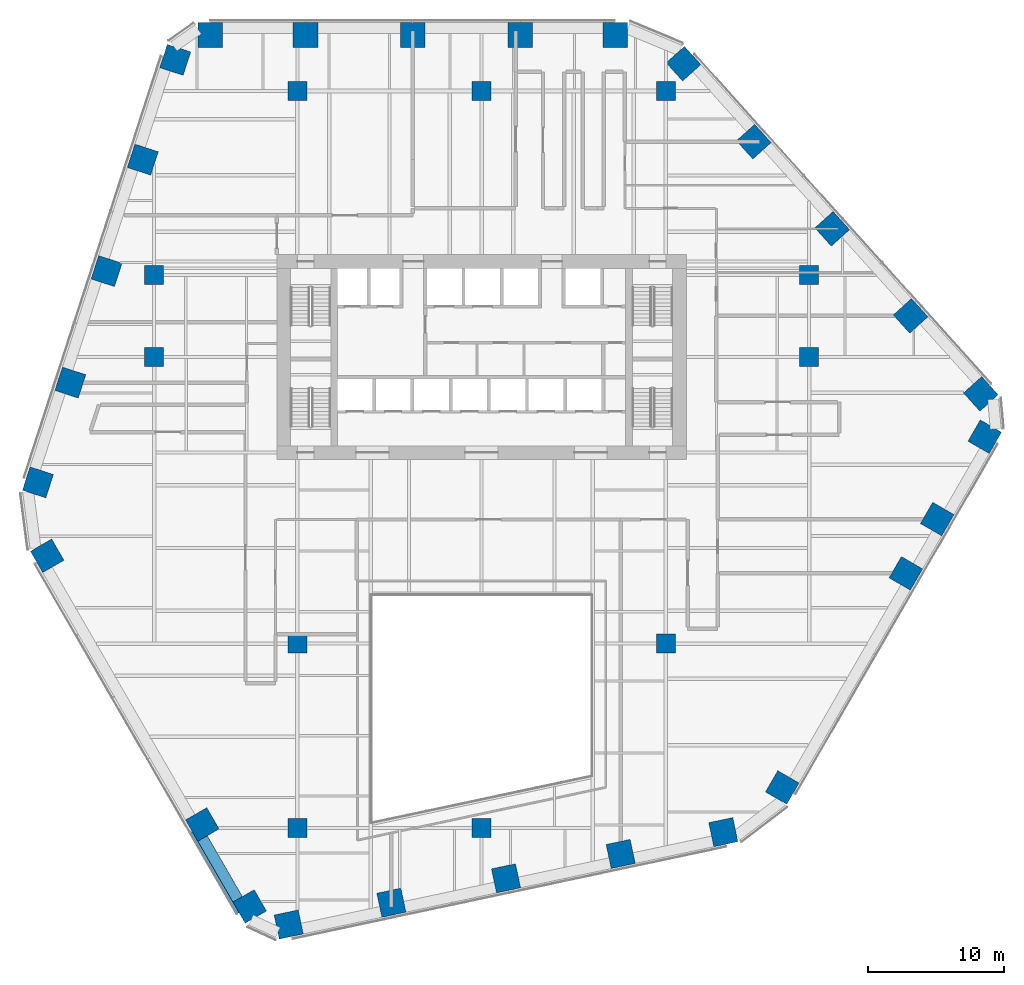
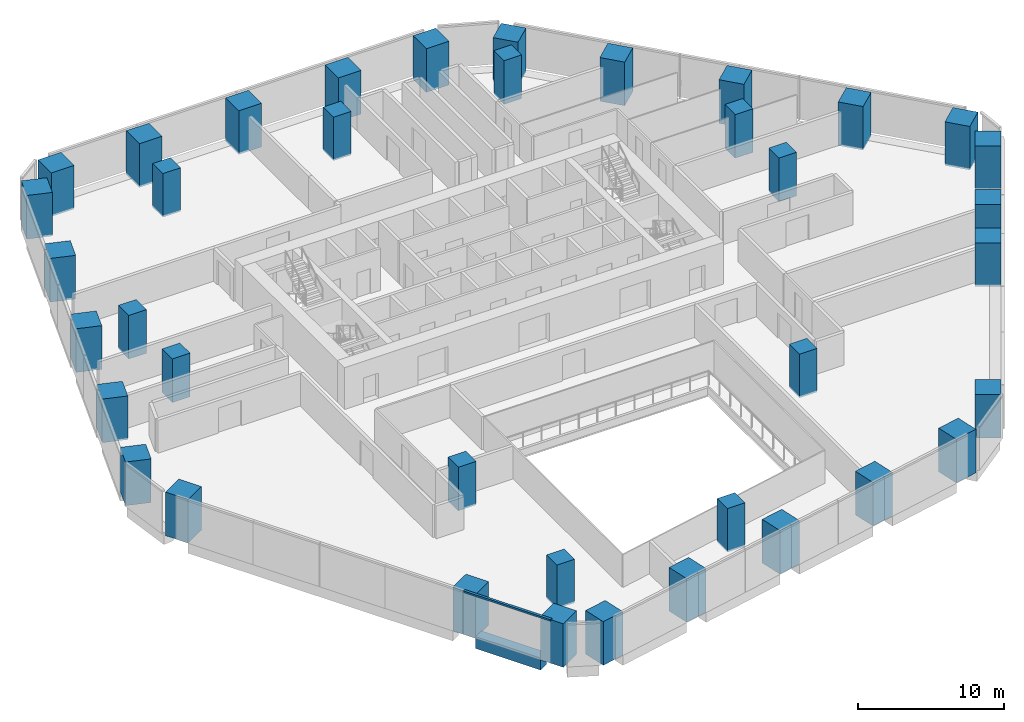
# One storey, part 1 of 21: 38 columns, 1 beam, 1 member, 1 element without a shape of its own.
"""IFC4 building model written with IfcOpenShell, lengths in metres."""

from ifc_helpers import new_model, si_unit, direction, frame, origin, origin_2d, place, context, subcontext, project, spatial, rectangle, extrude, material, layer, layer_set, material_profile, profile_set, type_object, element, aggregate, save


model = new_model("IFC4")

# Units and contexts
model_context = context("Model", 3, precision=1e-05, world=origin(), true_north=direction((0.0, 1.0)))
body_context = subcontext(model_context, "Body", "Model", "MODEL_VIEW")
ifc_project = project(units=[si_unit("LENGTHUNIT", "METRE"), si_unit("AREAUNIT", "SQUARE_METRE"), si_unit("VOLUMEUNIT", "CUBIC_METRE"), si_unit("PLANEANGLEUNIT", "RADIAN"), si_unit("MASSUNIT", "GRAM", prefix="KILO")], contexts=[model_context])

# Site, building, storey
site_placement = place(None, origin())
site = spatial("IfcSite", under=ifc_project, at=site_placement, CompositionType="ELEMENT")
building_placement = place(site_placement, origin())
building = spatial("IfcBuilding", under=site, at=building_placement, Name="Isthmus Gate Tower", CompositionType="ELEMENT")
storey_placement = place(building_placement, frame((0.0, 0.0, 50.60009765625)))
storey = spatial("IfcBuildingStorey", under=building, at=storey_placement, Name="L10", CompositionType="ELEMENT", Elevation=50.60009765625)

# Columns
ifc_material_1 = material(Name="Concrete f'c 70 MPa", Category="concrete")
ifc_material_profile_1 = material_profile(ifc_material_1, rectangle(XDim=1.39990234375, YDim=1.39990234375, at=origin_2d()), Name="RC 1400X1400")
ifc_profile_set_1 = profile_set([ifc_material_profile_1], Name="Concrete f'c 70 MPa")
column_type_1 = type_object("IfcColumnType", Name="RC INTERIOR COLUMN 1400 X 1400", PredefinedType="COLUMN", material=ifc_profile_set_1)
for number, where, z_axis, x_axis, name in (
    (1, (-24.0, 7.5, -0.150146484375), (0.0, 0.0, 1.0), (1.0, 0.0, 0.0), "str-icol-L10-ICA3"),
    (2, (-24.0, 13.5, -0.150146484375), (0.0, 0.0, 1.0), (1.0, 0.0, 0.0), "str-icol-L10-ICA4"),
    (3, (-13.5, -27.0, -0.150146484375), (0.0, 0.0, 1.0), (1.0, 0.0, 0.0), "str-icol-L10-ICB1"),
    (4, (-13.5, -13.5, -0.150146484375), (0.0, 0.0, 1.0), (1.0, 0.0, 0.0), "str-icol-L10-ICB2"),
    (5, (-13.5, 27.0, -0.150146484375), (0.0, 0.0, 1.0), (1.0, 0.0, 0.0), "str-icol-L10-ICB5"),
    (6, (0.0, -27.0, -0.150146484375), (0.0, 0.0, 1.0), (1.0, 0.0, 0.0), "str-icol-L10-ICC1"),
    (7, (0.0, 27.0, -0.150146484375), (0.0, 0.0, 1.0), (1.0, 0.0, 0.0), "str-icol-L10-ICC5"),
    (8, (13.5, -13.5, -0.150146484375), (0.0, 0.0, 1.0), (1.0, 0.0, 0.0), "str-icol-L10-ICD2"),
    (9, (13.5, 27.0, -0.150146484375), (0.0, 0.0, 1.0), (1.0, 0.0, 0.0), "str-icol-L10-ICD5"),
    (10, (24.0, 7.5, -0.150146484375), (0.0, 0.0, 1.0), (1.0, 0.0, 0.0), "str-icol-L10-ICE3"),
    (11, (24.0, 13.5, -0.150146484375), (0.0, 0.0, 1.0), (1.0, 0.0, 0.0), "str-icol-L10-ICE4"),
):
    element("IfcColumn", number, at=place(storey_placement, frame(where, z_axis=z_axis, x_axis=x_axis)), inside=storey, type_object=column_type_1, Name=name, PredefinedType="COLUMN", context=body_context, shape_type="SweptSolid", body=[
        extrude(rectangle(XDim=1.39990234375, YDim=1.39990234375, at=origin_2d()), origin(), (0.0, 0.0, 1.0), 3.650146484375),
    ])
ifc_material_2 = material(Name="Concrete f'c 70 MPa", Category="concrete")
ifc_material_profile_2 = material_profile(ifc_material_2, rectangle(XDim=1.800048828125, YDim=1.800048828125, at=origin_2d()), Name="RC 1800X1800")
ifc_profile_set_2 = profile_set([ifc_material_profile_2], Name="Concrete f'c 70 MPa")
column_type_2 = type_object("IfcColumnType", Name="RC TUBE COLUMN 1800 X 1800", PredefinedType="COLUMN", material=ifc_profile_set_2)
for number, where, z_axis, x_axis, name in (
    (12, (9.8017578125, 31.10009765625, -0.150146484375), (0.0, 0.0, 1.0), (-1.0, 0.0, 0.0), "str-tcol-L10-T1N0"),
    (13, (2.832275390625, 31.10009765625, -0.150146484375), (0.0, 0.0, 1.0), (-1.0, 0.0, 0.0), "str-tcol-L10-T1N1"),
    (14, (-5.037109375, 31.10009765625, -0.150146484375), (0.0, 0.0, 1.0), (-1.0, 0.0, 0.0), "str-tcol-L10-T1N2"),
    (15, (-12.90673828125, 31.10009765625, -0.150146484375), (0.0, 0.0, 1.0), (-1.0, 0.0, 0.0), "str-tcol-L10-T1N3"),
    (16, (-19.876220703125, 31.10009765625, -0.150146484375), (0.0, 0.0, 1.0), (-1.0, 0.0, 0.0), "str-tcol-L10-T1N4"),
    (17, (-22.451171875, 29.281005859375, -0.150146484375), (0.0, 0.0, 1.0), (-0.309016994375, -0.951056516295, 0.0), "str-tcol-L10-T1NW0"),
    (18, (-24.827392578125, 21.9677734375, -0.150146484375), (0.0, 0.0, 1.0), (-0.309016994375, -0.951056516295, 0.0), "str-tcol-L10-T1NW1"),
    (19, (-27.481689453125, 13.798828125, -0.150146484375), (0.0, 0.0, 1.0), (-0.309016994375, -0.951056516295, 0.0), "str-tcol-L10-T1NW2"),
    (20, (-30.135986328125, 5.6298828125, -0.150146484375), (0.0, 0.0, 1.0), (-0.309016994375, -0.951056516295, 0.0), "str-tcol-L10-T1NW3"),
    (21, (-32.511962890625, -1.68310546875, -0.150146484375), (0.0, 0.0, 1.0), (-0.309016994375, -0.951056516295, 0.0), "str-tcol-L10-T1NW4"),
    (22, (-31.834228515625, -7.061279296875, -0.150146484375), (0.0, 0.0, 1.0), (0.5, -0.866025403784, 0.0), "str-tcol-L10-T1SW0"),
    (23, (-20.467041015625, -26.75, -0.150146484375), (0.0, 0.0, 1.0), (0.5, -0.866025403784, 0.0), "str-tcol-L10-T1SW2"),
    (24, (-16.995361328125, -32.763427734375, -0.150146484375), (0.0, 0.0, 1.0), (0.5, -0.866025403784, 0.0), "str-tcol-L10-T1SW3"),
    (25, (-14.13232421875, -34.083740234375, -0.150146484375), (0.0, 0.0, 1.0), (0.978147600734, 0.207911690818, 0.0), "str-tcol-L10-T1S0"),
    (26, (-6.611083984375, -32.485107421875, -0.150146484375), (0.0, 0.0, 1.0), (0.978147600734, 0.207911690818, 0.0), "str-tcol-L10-T1S1"),
    (27, (1.79052734375, -30.69921875, -0.150146484375), (0.0, 0.0, 1.0), (0.978147600734, 0.207911690818, 0.0), "str-tcol-L10-T1S2"),
    (28, (10.192138671875, -28.91357421875, -0.150146484375), (0.0, 0.0, 1.0), (0.978147600734, 0.207911690818, 0.0), "str-tcol-L10-T1S3"),
    (29, (17.713623046875, -27.314697265625, -0.150146484375), (0.0, 0.0, 1.0), (0.978147600734, 0.207911690818, 0.0), "str-tcol-L10-T1S4"),
    (30, (22.032470703125, -24.03857421875, -0.150146484375), (0.0, 0.0, 1.0), (0.5, 0.866025403784, 0.0), "str-tcol-L10-T1SE0"),
    (31, (31.09033203125, -8.35009765625, -0.150146484375), (0.0, 0.0, 1.0), (0.5, 0.866025403784, 0.0), "str-tcol-L10-T1SE1"),
    (32, (33.38671875, -4.37255859375, -0.150146484375), (0.0, 0.0, 1.0), (0.5, 0.866025403784, 0.0), "str-tcol-L10-T1SE2"),
    (33, (36.87158203125, 1.663330078125, -0.150146484375), (0.0, 0.0, 1.0), (0.5, 0.866025403784, 0.0), "str-tcol-L10-T1SE3"),
    (34, (36.583740234375, 4.802978515625, -0.150146484375), (0.0, 0.0, 1.0), (-0.669130606359, 0.743144825477, 0.0), "str-tcol-L10-T1NE0"),
    (35, (31.4384765625, 10.517333984375, -0.150146484375), (0.0, 0.0, 1.0), (-0.669130606359, 0.743144825477, 0.0), "str-tcol-L10-T1NE1"),
    (36, (25.691162109375, 16.900390625, -0.150146484375), (0.0, 0.0, 1.0), (-0.669130606359, 0.743144825477, 0.0), "str-tcol-L10-T1NE2"),
    (37, (19.943603515625, 23.283447265625, -0.150146484375), (0.0, 0.0, 1.0), (-0.669130606359, 0.743144825477, 0.0), "str-tcol-L10-T1NE3"),
    (38, (14.798583984375, 28.997802734375, -0.150146484375), (0.0, 0.0, 1.0), (-0.669130606359, 0.743144825477, 0.0), "str-tcol-L10-T1NE4"),
):
    element("IfcColumn", number, at=place(storey_placement, frame(where, z_axis=z_axis, x_axis=x_axis)), inside=storey, type_object=column_type_2, Name=name, PredefinedType="COLUMN", context=body_context, shape_type="SweptSolid", body=[
        extrude(rectangle(XDim=1.800048828125, YDim=1.800048828125, at=origin_2d()), origin(), (0.0, 0.0, 1.0), 3.650146484375),
    ])

# Curtain wall, member
ifc_material_3 = material(Name="Aluminium, pale champagne anodised", Category="aluminium")
ifc_layer = layer(ifc_material_3, 0.199951171875)
ifc_layer_set = layer_set([ifc_layer], Name="CW-1 UNITISED CURTAIN WALL 200 DEEP")
curtain_wall_type = type_object("IfcCurtainWallType", Name="CW-1 UNITISED CURTAIN WALL 200 DEEP", PredefinedType="NOTDEFINED", material=ifc_layer_set)
curtain_wall_placement = place(storey_placement, origin())
curtain_wall = element("IfcCurtainWall", 39, at=curtain_wall_placement, inside=storey, type_object=curtain_wall_type, Name="CW-1 SW L10", PredefinedType="NOTDEFINED")
ifc_material_4 = material(Name="Aluminium, pale champagne anodised", Category="aluminium")
ifc_material_profile_3 = material_profile(ifc_material_4, rectangle(XDim=0.199951171875, YDim=0.14990234375, at=origin_2d()), Name="200x150")
ifc_profile_set_3 = profile_set([ifc_material_profile_3], Name="Aluminium, pale champagne anodised")
member_type = type_object("IfcMemberType", Name="CW-1 TRANSOM 200 X 150", PredefinedType="USERDEFINED", material=ifc_profile_set_3)
member_placement = place(storey_placement, frame((-21.302978515625, -27.302001953125, 3.574951171875), z_axis=(0.499980345582, -0.86603675097, 0.0), x_axis=(0.86603675097, 0.499980345582, 0.0)))
member = element("IfcMember", 40, at=member_placement, type_object=member_type, Name="CW-1 transom", ObjectType="TRANSOM", PredefinedType="USERDEFINED", context=body_context, shape_type="SweptSolid", body=[
    extrude(rectangle(XDim=0.199951171875, YDim=0.14990234375, at=origin_2d()), origin(), (0.0, 0.0, 1.0), 6.883544921875),
])
aggregate(curtain_wall, [member])

# Beam
ifc_material_5 = material(Name="Concrete f'c 70 MPa", Category="concrete")
ifc_material_profile_4 = material_profile(ifc_material_5, rectangle(XDim=0.800048828125, YDim=1.0, at=origin_2d()), Name="RC 800X1000")
ifc_profile_set_4 = profile_set([ifc_material_profile_4], Name="Concrete f'c 70 MPa")
beam_type = type_object("IfcBeamType", Name="RC SPANDREL 800 X 1000", PredefinedType="SPANDREL", material=ifc_profile_set_4)
beam_placement = place(storey_placement, frame((-17.878173828125, -32.23388671875, -0.5), z_axis=(-0.500044296292, 0.865999827798, 0.0), x_axis=(-0.865999827798, -0.500044296292, 0.0)))
element("IfcBeam", 41, at=beam_placement, inside=storey, type_object=beam_type, Name="str-spandrel-L10-15", PredefinedType="SPANDREL", context=body_context, shape_type="SweptSolid", body=[
    extrude(rectangle(XDim=0.800048828125, YDim=1.0, at=origin_2d()), origin(), (0.0, 0.0, 1.0), 5.1435546875),
])

save(model, "model.ifc")
